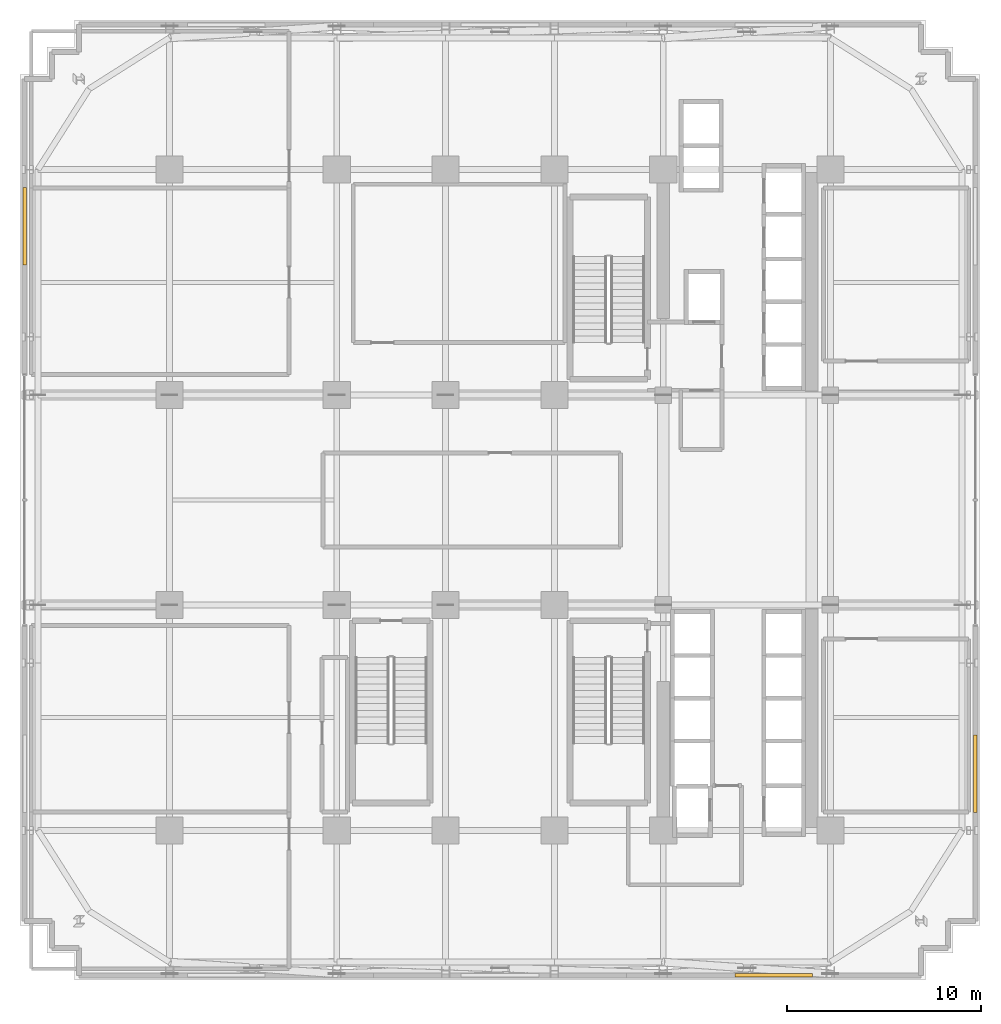
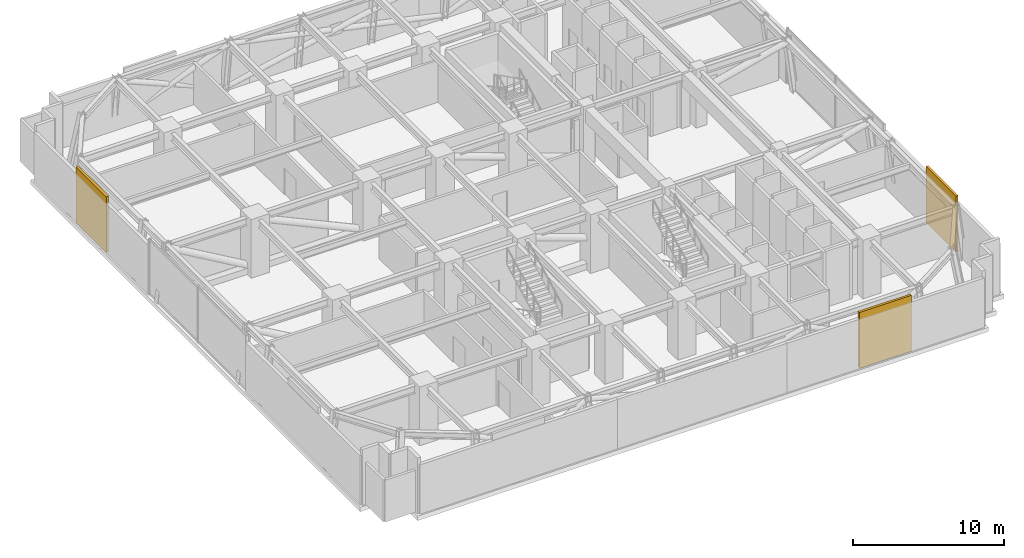
# One storey, part 15 of 17: 3 shading devices.
"""IFC4 building model written with IfcOpenShell, lengths in metres."""

from ifc_helpers import new_model, si_unit, direction, frame, origin, origin_2d, place, context, subcontext, project, spatial, rectangle, extrude, source, transform, mapped, material, layer, layer_set, type_object, element, save


model = new_model("IFC4")

# Units and contexts
model_context = context("Model", 3, precision=1e-05, world=origin(), true_north=direction((0.0, 1.0)))
body_context = subcontext(model_context, "Body", "Model", "MODEL_VIEW")
ifc_project = project(units=[si_unit("LENGTHUNIT", "METRE"), si_unit("AREAUNIT", "SQUARE_METRE"), si_unit("VOLUMEUNIT", "CUBIC_METRE"), si_unit("PLANEANGLEUNIT", "RADIAN"), si_unit("MASSUNIT", "GRAM", prefix="KILO")], contexts=[model_context])

# Site, building, storey
site_placement = place(None, origin())
site = spatial("IfcSite", under=ifc_project, at=site_placement, CompositionType="ELEMENT")
building_placement = place(site_placement, origin())
building = spatial("IfcBuilding", under=site, at=building_placement, Name="Nahalor Promenade Grand Hotel", CompositionType="ELEMENT")
storey_placement = place(building_placement, frame((0.0, 0.0, 83.5)))
storey = spatial("IfcBuildingStorey", under=building, at=storey_placement, Name="L20", CompositionType="ELEMENT", Elevation=83.5)

# Shading devices
ifc_material = material(Name="Anodised Bronze Aluminium EN AW-6063 T6", Category="aluminium")
ifc_layer = layer(ifc_material, 0.179931640625)
ifc_layer_set = layer_set([ifc_layer], Name="Anodised Bronze Aluminium EN AW-6063 T6")
shading_device_type = type_object("IfcShadingDeviceType", Name="Shade-PlantLouvre-Bronze", PredefinedType="USERDEFINED", material=ifc_layer_set)
shared_shape = source(origin(), body_context, "Body", "SweptSolid", [
    extrude(rectangle(XDim=4.0, YDim=0.179931640625, at=origin_2d()), origin(), (0.0, 0.0, 1.0), 4.530029296875),
])
for number, where, z_axis, x_axis, name in (
    (1, (14.080078125, -24.4599609375, 0.0), (0.0, 0.0, 1.0), (1.0, 0.0, 0.0), "LV-L20-SR"),
    (2, (-24.4599609375, 14.080078125, 0.0), (0.0, 0.0, 1.0), (0.0, 1.0, 0.0), "LV-L20-WR"),
    (3, (24.4599609375, -14.080078125, 0.0), (0.0, 0.0, 1.0), (0.0, 1.0, 0.0), "LV-L20-EL"),
):
    element("IfcShadingDevice", number, at=place(storey_placement, frame(where, z_axis=z_axis, x_axis=x_axis)), inside=storey, type_object=shading_device_type, Name=name, ObjectType="LOUVRE", PredefinedType="USERDEFINED", context=body_context, shape_type="MappedRepresentation", body=[
        mapped(shared_shape, transform((0.0, 0.0, 0.0), scale=1.0)),
    ])

save(model, "model.ifc")
